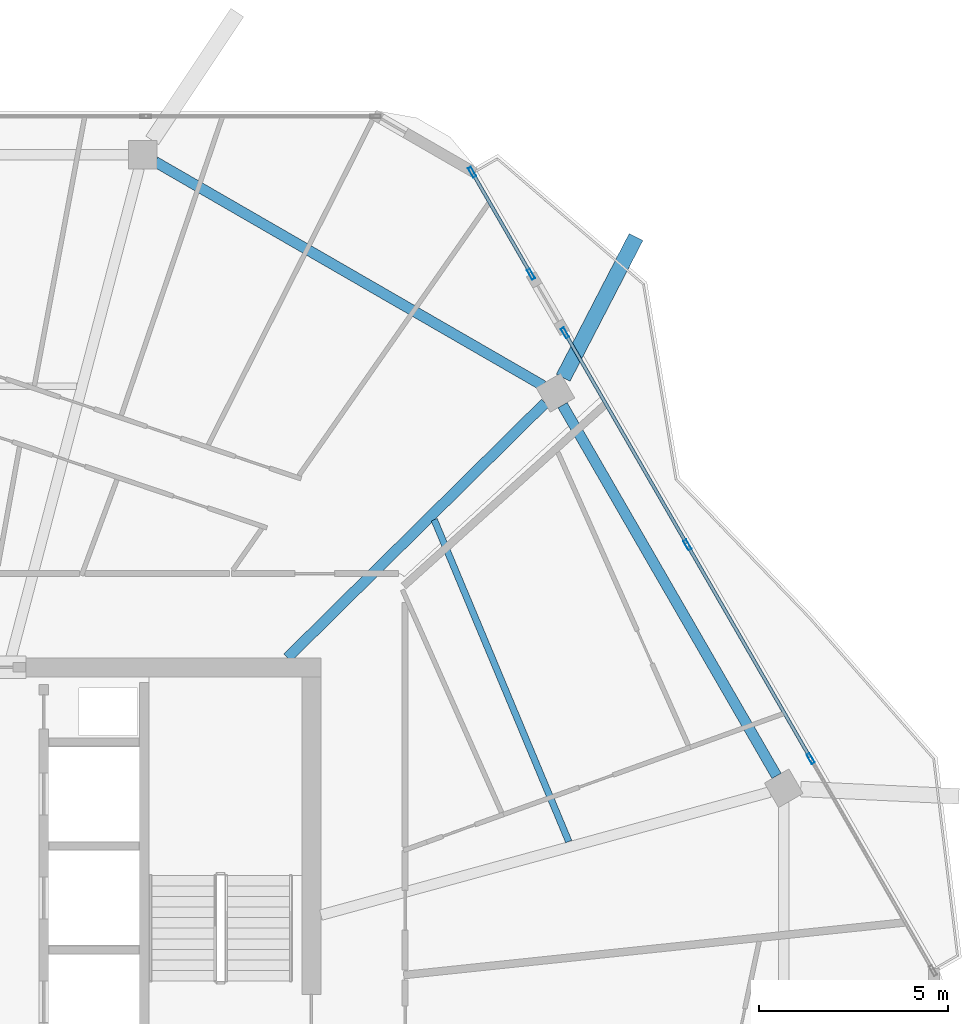
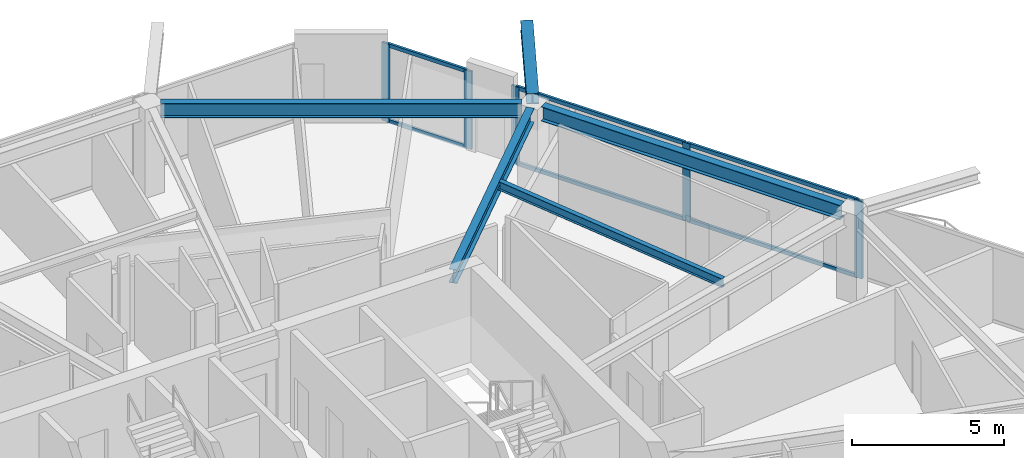
# One storey, part 9 of 18: 11 members, 5 beams, 2 elements without a shape of their own.
"""IFC4 building model written with IfcOpenShell, lengths in metres."""

from ifc_helpers import new_model, si_unit, direction, frame, origin, origin_2d, place, context, subcontext, project, spatial, hollow_rectangle, i_section, extrude, material, material_profile, profile_set, type_object, element, aggregate, save


model = new_model("IFC4")

# Units and contexts
model_context = context("Model", 3, precision=1e-05, world=origin(), true_north=direction((0.0, 1.0)))
body_context = subcontext(model_context, "Body", "Model", "MODEL_VIEW")
ifc_project = project(units=[si_unit("LENGTHUNIT", "METRE"), si_unit("AREAUNIT", "SQUARE_METRE"), si_unit("VOLUMEUNIT", "CUBIC_METRE"), si_unit("PLANEANGLEUNIT", "RADIAN"), si_unit("MASSUNIT", "GRAM", prefix="KILO")], contexts=[model_context])

# Site, building, storey
site_placement = place(None, origin())
site = spatial("IfcSite", under=ifc_project, at=site_placement, CompositionType="ELEMENT")
building_placement = place(site_placement, origin())
building = spatial("IfcBuilding", under=site, at=building_placement, Name="Zuhravey Tower", CompositionType="ELEMENT")
storey_placement = place(building_placement, frame((0.0, 0.0, 342.39990234375)))
storey = spatial("IfcBuildingStorey", under=building, at=storey_placement, Name="L87", CompositionType="ELEMENT", Elevation=342.39990234375)

# Curtain wall, members
ifc_material_1 = material(Name="Thermally broken anodised aluminium", Category="aluminium")
curtain_wall_type = type_object("IfcCurtainWallType", Name="Zone 3-4 High-Rise Curtain Wall CW4", PredefinedType="NOTDEFINED", material=ifc_material_1)
curtain_wall_1_placement = place(storey_placement, origin())
curtain_wall_1 = element("IfcCurtainWall", 1, at=curtain_wall_1_placement, inside=storey, type_object=curtain_wall_type, Name="L87 CW4 CW-L87-F1-1", PredefinedType="NOTDEFINED")
ifc_material_2 = material(Name="Anodised aluminium", Category="aluminium")
ifc_material_profile_1 = material_profile(ifc_material_2, hollow_rectangle(XDim=0.090087890625, YDim=0.284912109375, WallThickness=0.0048828125, at=origin_2d()), Name="ALU-RHS-90x285x5")
ifc_profile_set_1 = profile_set([ifc_material_profile_1], Name="Anodised aluminium")
member_type_1 = type_object("IfcMemberType", Name="Curtain-Wall Mullion 90x180", PredefinedType="MULLION", material=ifc_profile_set_1)
member_1_placement = place(storey_placement, frame((50.751708984375, 54.59765625, 0.0), z_axis=(0.0, 0.0, 1.0), x_axis=(0.866034960037, 0.49998344772, 0.0)))
member_1 = element("IfcMember", 2, at=member_1_placement, type_object=member_type_1, Name="CW4 mullion 1", PredefinedType="MULLION", context=body_context, shape_type="SweptSolid", body=[
    extrude(hollow_rectangle(XDim=0.090087890625, YDim=0.284912109375, WallThickness=0.0048828125, at=origin_2d()), origin(), (0.0, 0.0, 1.0), 3.1220703125),
])
member_2_placement = place(storey_placement, frame((52.3095703125, 51.89892578125, 0.0), z_axis=(0.0, 0.0, 1.0), x_axis=(0.866034960037, 0.49998344772, 0.0)))
member_2 = element("IfcMember", 3, at=member_2_placement, type_object=member_type_1, Name="CW4 mullion 2", PredefinedType="MULLION", context=body_context, shape_type="SweptSolid", body=[
    extrude(hollow_rectangle(XDim=0.090087890625, YDim=0.284912109375, WallThickness=0.0048828125, at=origin_2d()), origin(), (0.0, 0.0, 1.0), 3.1220703125),
])

curtain_wall_2_placement = place(storey_placement, origin())
curtain_wall_2 = element("IfcCurtainWall", 4, at=curtain_wall_2_placement, inside=storey, type_object=curtain_wall_type, Name="L87 CW4 CW-L87-F1-2", PredefinedType="NOTDEFINED")
member_3_placement = place(storey_placement, frame((53.20458984375, 50.348876953125, 0.0), z_axis=(0.0, 0.0, 1.0), x_axis=(0.866024524765, 0.500001522502, 0.0)))
member_3 = element("IfcMember", 5, at=member_3_placement, type_object=member_type_1, Name="CW4 mullion 1", PredefinedType="MULLION", context=body_context, shape_type="SweptSolid", body=[
    extrude(hollow_rectangle(XDim=0.090087890625, YDim=0.284912109375, WallThickness=0.0048828125, at=origin_2d()), origin(), (0.0, 0.0, 1.0), 3.1220703125),
])
member_4_placement = place(storey_placement, frame((56.444091796875, 44.73779296875, 0.0), z_axis=(0.0, 0.0, 1.0), x_axis=(0.866024524765, 0.500001522502, 0.0)))
member_4 = element("IfcMember", 6, at=member_4_placement, type_object=member_type_1, Name="CW4 mullion 2", PredefinedType="MULLION", context=body_context, shape_type="SweptSolid", body=[
    extrude(hollow_rectangle(XDim=0.090087890625, YDim=0.284912109375, WallThickness=0.0048828125, at=origin_2d()), origin(), (0.0, 0.0, 1.0), 3.1220703125),
])
member_5_placement = place(storey_placement, frame((59.706298828125, 39.087646484375, 0.0), z_axis=(0.0, 0.0, 1.0), x_axis=(0.866024524765, 0.500001522502, 0.0)))
member_5 = element("IfcMember", 7, at=member_5_placement, type_object=member_type_1, Name="CW4 mullion 3", PredefinedType="MULLION", context=body_context, shape_type="SweptSolid", body=[
    extrude(hollow_rectangle(XDim=0.090087890625, YDim=0.284912109375, WallThickness=0.0048828125, at=origin_2d()), origin(), (0.0, 0.0, 1.0), 3.1220703125),
])

# Member
ifc_material_profile_2 = material_profile(ifc_material_2, hollow_rectangle(XDim=0.090087890625, YDim=0.14990234375, WallThickness=0.0048828125, at=origin_2d()), Name="ALU-RHS-90x150x5")
ifc_profile_set_2 = profile_set([ifc_material_profile_2], Name="Anodised aluminium")
member_type_2 = type_object("IfcMemberType", Name="Curtain-Wall Transom 90x150", PredefinedType="USERDEFINED", material=ifc_profile_set_2)
member_6_placement = place(storey_placement, frame((50.774169921875, 54.55859375, 0.045166015625), z_axis=(0.499983190554, -0.866035108505, 0.0), x_axis=(0.866035108505, 0.499983190554, 0.0)))
member_6 = element("IfcMember", 8, at=member_6_placement, type_object=member_type_2, Name="CW4 transom 1.1", ObjectType="TRANSOM", PredefinedType="USERDEFINED", context=body_context, shape_type="SweptSolid", body=[
    extrude(hollow_rectangle(XDim=0.090087890625, YDim=0.14990234375, WallThickness=0.0048828125, at=origin_2d()), origin(), (0.0, 0.0, 1.0), 3.02587890625),
])

member_7_placement = place(storey_placement, frame((50.774169921875, 54.55859375, 3.0771484375), z_axis=(0.499983190554, -0.866035108505, 0.0), x_axis=(0.866035108505, 0.499983190554, 0.0)))
member_7 = element("IfcMember", 9, at=member_7_placement, type_object=member_type_2, Name="CW4 transom 1.2", ObjectType="TRANSOM", PredefinedType="USERDEFINED", context=body_context, shape_type="SweptSolid", body=[
    extrude(hollow_rectangle(XDim=0.090087890625, YDim=0.14990234375, WallThickness=0.0048828125, at=origin_2d()), origin(), (0.0, 0.0, 1.0), 3.02587890625),
])

aggregate(curtain_wall_1, [member_1, member_2, member_6, member_7])

member_8_placement = place(storey_placement, frame((53.22705078125, 50.309814453125, 0.045166015625), z_axis=(0.499998094172, -0.866026504112, 0.0), x_axis=(0.866026504112, 0.499998094172, 0.0)))
member_8 = element("IfcMember", 10, at=member_8_placement, type_object=member_type_2, Name="CW4 transom 1.1", ObjectType="TRANSOM", PredefinedType="USERDEFINED", context=body_context, shape_type="SweptSolid", body=[
    extrude(hollow_rectangle(XDim=0.090087890625, YDim=0.14990234375, WallThickness=0.0048828125, at=origin_2d()), origin(), (0.0, 0.0, 1.0), 6.38916015625),
])

member_9_placement = place(storey_placement, frame((53.22705078125, 50.309814453125, 3.0771484375), z_axis=(0.499998094172, -0.866026504112, 0.0), x_axis=(0.866026504112, 0.499998094172, 0.0)))
member_9 = element("IfcMember", 11, at=member_9_placement, type_object=member_type_2, Name="CW4 transom 1.2", ObjectType="TRANSOM", PredefinedType="USERDEFINED", context=body_context, shape_type="SweptSolid", body=[
    extrude(hollow_rectangle(XDim=0.090087890625, YDim=0.14990234375, WallThickness=0.0048828125, at=origin_2d()), origin(), (0.0, 0.0, 1.0), 6.38916015625),
])

member_10_placement = place(storey_placement, frame((56.466796875, 44.69873046875, 0.045166015625), z_axis=(0.499987406048, -0.866032674784, 0.0), x_axis=(0.866032674784, 0.499987406048, 0.0)))
member_10 = element("IfcMember", 12, at=member_10_placement, type_object=member_type_2, Name="CW4 transom 2.1", ObjectType="TRANSOM", PredefinedType="USERDEFINED", context=body_context, shape_type="SweptSolid", body=[
    extrude(hollow_rectangle(XDim=0.090087890625, YDim=0.14990234375, WallThickness=0.0048828125, at=origin_2d()), origin(), (0.0, 0.0, 1.0), 6.434326171875),
])

member_11_placement = place(storey_placement, frame((56.466796875, 44.69873046875, 3.0771484375), z_axis=(0.499987406048, -0.866032674784, 0.0), x_axis=(0.866032674784, 0.499987406048, 0.0)))
member_11 = element("IfcMember", 13, at=member_11_placement, type_object=member_type_2, Name="CW4 transom 2.2", ObjectType="TRANSOM", PredefinedType="USERDEFINED", context=body_context, shape_type="SweptSolid", body=[
    extrude(hollow_rectangle(XDim=0.090087890625, YDim=0.14990234375, WallThickness=0.0048828125, at=origin_2d()), origin(), (0.0, 0.0, 1.0), 6.434326171875),
])

aggregate(curtain_wall_2, [member_3, member_4, member_5, member_8, member_9, member_10, member_11])

# Beams
ifc_material_3 = material(Name="Steel SM460", Category="steel")
ifc_material_profile_3 = material_profile(ifc_material_3, i_section(OverallWidth=0.406982421875, OverallDepth=0.427978515625, WebThickness=0.02001953125, FlangeThickness=0.034912109375, at=origin_2d()), Name="H-428x407x20x35")
ifc_profile_set_3 = profile_set([ifc_material_profile_3], Name="Steel SM460")
beam_type_1 = type_object("IfcBeamType", Name="Exoskeleton Node Tie Beam H428x407", PredefinedType="BEAM", material=ifc_profile_set_3)
beam_1_placement = place(storey_placement, frame((53.1611328125, 49.160888671875, 3.336181640625), z_axis=(0.459590905568, 0.888130733349, 0.0), x_axis=(-0.888130733349, 0.459590905568, 0.0)))
element("IfcBeam", 14, at=beam_1_placement, inside=storey, type_object=beam_type_1, Name="L87 Exoskeleton Node Tie NT1-02", PredefinedType="BEAM", context=body_context, shape_type="SweptSolid", body=[
    extrude(i_section(OverallWidth=0.406982421875, OverallDepth=0.427978515625, WebThickness=0.02001953125, FlangeThickness=0.034912109375, at=origin_2d()), origin(), (0.0, 0.0, 1.0), 4.190673828125),
])
ifc_material_4 = material(Name="Steel SM355", Category="steel")
ifc_material_profile_4 = material_profile(ifc_material_4, i_section(OverallWidth=0.280029296875, OverallDepth=0.580078125, WebThickness=0.011962890625, FlangeThickness=0.01904296875, at=origin_2d()), Name="H-580x280x12x19")
ifc_profile_set_4 = profile_set([ifc_material_profile_4], Name="Steel SM355")
beam_type_2 = type_object("IfcBeamType", Name="Perimeter Ring Beam H580x280", PredefinedType="BEAM", material=ifc_profile_set_4)
beam_2_placement = place(storey_placement, frame((58.804443359375, 38.629638671875, 3.260009765625), z_axis=(-0.499993743963, 0.866029015679, 0.0), x_axis=(-0.866029015679, -0.499993743963, 0.0)))
element("IfcBeam", 15, at=beam_2_placement, inside=storey, type_object=beam_type_2, Name="L87 PB4 BM-L87-PB-01", PredefinedType="BEAM", context=body_context, shape_type="SweptSolid", body=[
    extrude(i_section(OverallWidth=0.280029296875, OverallDepth=0.580078125, WebThickness=0.011962890625, FlangeThickness=0.01904296875, at=origin_2d()), origin(), (0.0, 0.0, 1.0), 11.321533203125),
])
beam_3_placement = place(storey_placement, frame((52.62744140625, 48.95068359375, 3.260009765625), z_axis=(-0.866030838723, 0.499990586292, 0.0), x_axis=(-0.499990586292, -0.866030838723, 0.0)))
element("IfcBeam", 16, at=beam_3_placement, inside=storey, type_object=beam_type_2, Name="L87 PB4 BM-L87-PB-02", PredefinedType="BEAM", context=body_context, shape_type="SweptSolid", body=[
    extrude(i_section(OverallWidth=0.280029296875, OverallDepth=0.580078125, WebThickness=0.011962890625, FlangeThickness=0.01904296875, at=origin_2d()), origin(), (0.0, 0.0, 1.0), 11.848876953125),
])
ifc_material_profile_5 = material_profile(ifc_material_4, i_section(OverallWidth=0.280029296875, OverallDepth=0.550048828125, WebThickness=0.010986328125, FlangeThickness=0.01806640625, at=origin_2d()), Name="H-550x280x11x18")
ifc_profile_set_5 = profile_set([ifc_material_profile_5], Name="Steel SM355")
beam_type_3 = type_object("IfcBeamType", Name="Radial Primary Girder H550x280", PredefinedType="BEAM", material=ifc_profile_set_5)
beam_4_placement = place(storey_placement, frame((45.865234375, 41.7529296875, 3.275146484375), z_axis=(0.711142578304, 0.703047817238, 0.0), x_axis=(-0.703047817238, 0.711142578304, 0.0)))
element("IfcBeam", 17, at=beam_4_placement, inside=storey, type_object=beam_type_3, Name="L87 RG4 BM-L87-RAD-02", PredefinedType="BEAM", context=body_context, shape_type="SweptSolid", body=[
    extrude(i_section(OverallWidth=0.280029296875, OverallDepth=0.550048828125, WebThickness=0.010986328125, FlangeThickness=0.01806640625, at=origin_2d()), origin(), (0.0, 0.0, 1.0), 9.591064453125),
])
ifc_material_profile_6 = material_profile(ifc_material_4, i_section(OverallWidth=0.175048828125, OverallDepth=0.35009765625, WebThickness=0.007080078125, FlangeThickness=0.010986328125, at=origin_2d()), Name="H-350x175x7x11")
ifc_profile_set_6 = profile_set([ifc_material_profile_6], Name="Steel SM355")
beam_type_4 = type_object("IfcBeamType", Name="Secondary Floor Joist H350x175", PredefinedType="JOIST", material=ifc_profile_set_6)
beam_5_placement = place(storey_placement, frame((53.307373046875, 36.891845703125, 3.375), z_axis=(-0.385657891576, 0.922641853953, 0.0), x_axis=(-0.922641853953, -0.385657891576, 0.0)))
element("IfcBeam", 18, at=beam_5_placement, inside=storey, type_object=beam_type_4, Name="L87 SJ3 BM-L87-SJ-01-1", PredefinedType="JOIST", context=body_context, shape_type="SweptSolid", body=[
    extrude(i_section(OverallWidth=0.175048828125, OverallDepth=0.35009765625, WebThickness=0.007080078125, FlangeThickness=0.010986328125, at=origin_2d()), origin(), (0.0, 0.0, 1.0), 9.226806640625),
])

save(model, "model.ifc")
